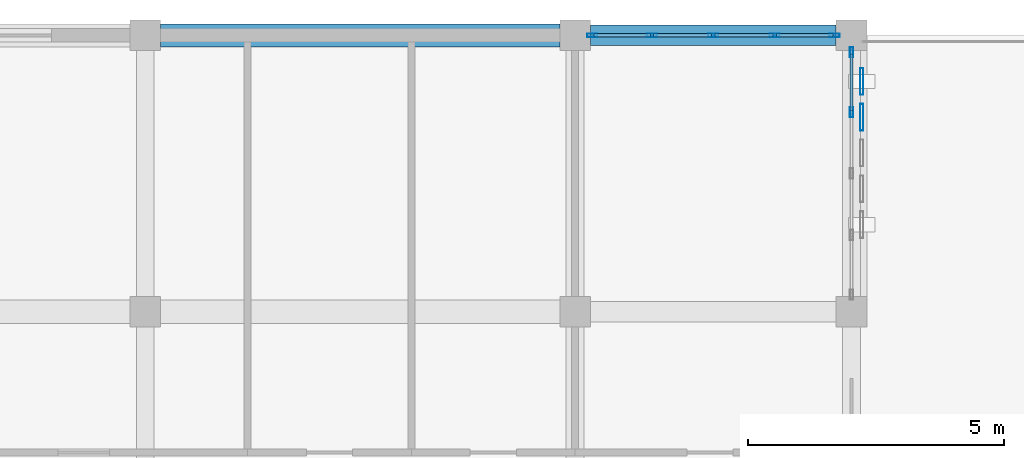
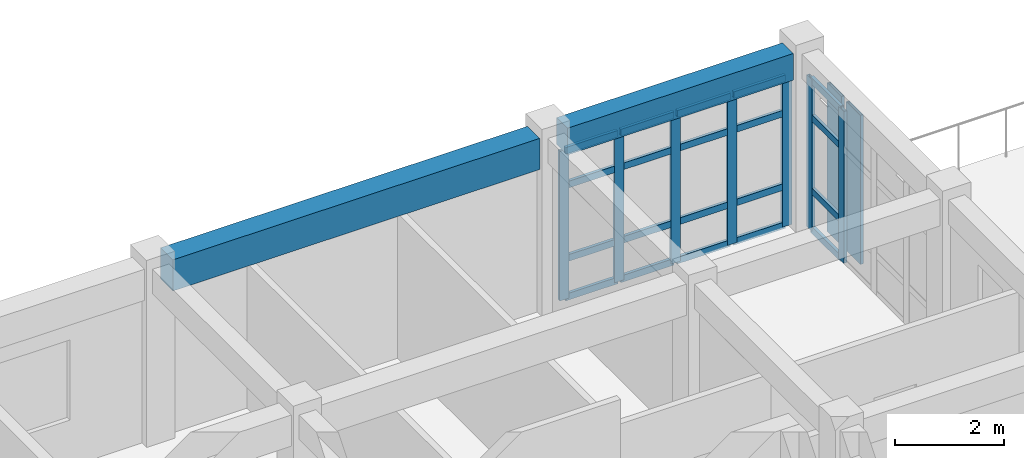
# One storey, part 14 of 21: 29 members, 2 beams, 2 elements without a shape of their own.
"""IFC4 building model written with IfcOpenShell, lengths in metres."""

import ifcopenshell
import ifcopenshell.guid

model = None  # the IFC model being written
_history = None  # IfcOwnerHistory: only IFC2X3 demands one
_inside = {}  # id of a spatial element -> (the spatial element, [elements in it])
_under = {}  # id of a project, library or spatial element -> (it, [spatial elements below it])
_declared = {}  # id of a project -> (the project, [libraries it declares])
_typed = {}  # id of a type object -> (the type object, [elements of that type])
_made_of = {}  # id of a material, layer set ... -> (it, [elements and type objects made of it])


def new_model(schema):
    """Start an empty IFC model of exactly this schema.

    Asked for "IFC4X3", IfcOpenShell would pick the latest addendum, in which some entities
    have other attributes; the version numbers below select the first issue.
    IFC2X3 requires an IfcOwnerHistory on every rooted entity: one is made here for all.
    """
    global model, _history
    if schema == "IFC4X3":
        model = ifcopenshell.file(schema_version=(4, 3, 0, 0))
    else:
        model = ifcopenshell.file(schema=schema)
    _inside.clear()
    _under.clear()
    _declared.clear()
    _typed.clear()
    _made_of.clear()
    _history = None
    if model.schema == "IFC2X3":
        org = make("IfcOrganization", Name="unknown")
        user = make(
            "IfcPersonAndOrganization",
            ThePerson=make("IfcPerson", FamilyName="unknown"),
            TheOrganization=org,
        )
        app = make(
            "IfcApplication",
            ApplicationDeveloper=org,
            Version="unknown",
            ApplicationFullName="unknown",
            ApplicationIdentifier="unknown",
        )
        _history = make(
            "IfcOwnerHistory",
            OwningUser=user,
            OwningApplication=app,
            ChangeAction="ADDED",
            CreationDate=0,
        )
    return model


def make(cls, **values):
    """One entity of the class cls with the attributes given. An attribute that is None is left unset."""
    return model.create_entity(
        cls, **{name: value for name, value in values.items() if value is not None}
    )


def rooted(cls, **values):
    """An entity with a GlobalId (a new one), such as an element, a storey or a relation."""
    return make(cls, GlobalId=ifcopenshell.guid.new(), OwnerHistory=_history, **values)


def si_unit(unit_type, name, prefix=None):
    """IfcSIUnit, for example si_unit("LENGTHUNIT", "METRE", prefix="MILLI")."""
    return make("IfcSIUnit", UnitType=unit_type, Prefix=prefix, Name=name)


def assignment(units):
    """IfcUnitAssignment: the units of a project."""
    return None if units is None else make("IfcUnitAssignment", Units=units)


def point(xyz):
    """IfcCartesianPoint."""
    return None if xyz is None else make("IfcCartesianPoint", Coordinates=xyz)


def direction(xyz):
    """IfcDirection."""
    return None if xyz is None else make("IfcDirection", DirectionRatios=xyz)


def frame(location, z_axis=None, x_axis=None):
    """IfcAxis2Placement3D, a coordinate frame: its origin and axes. An axis left out is left unset."""
    return make(
        "IfcAxis2Placement3D",
        Location=point(location),
        Axis=direction(z_axis),
        RefDirection=direction(x_axis),
    )


def frame_2d(location, x_axis=None):
    """IfcAxis2Placement2D, a coordinate frame in the plane: its origin and x axis."""
    return make(
        "IfcAxis2Placement2D", Location=point(location), RefDirection=direction(x_axis)
    )


def origin():
    """The frame at (0, 0, 0) with its axes left unset."""
    return frame((0.0, 0.0, 0.0))


def origin_2d():
    """The frame at (0, 0) in the plane with its x axis left unset."""
    return frame_2d((0.0, 0.0))


def place(relative_to, where):
    """IfcLocalPlacement: puts the frame where relative to a parent placement (None: the world)."""
    return make(
        "IfcLocalPlacement", PlacementRelTo=relative_to, RelativePlacement=where
    )


def context(
    kind, dimensions, precision=None, world=None, true_north=None, identifier=None
):
    """IfcGeometricRepresentationContext, for example the 3D "Model" context."""
    return make(
        "IfcGeometricRepresentationContext",
        ContextIdentifier=identifier,
        ContextType=kind,
        CoordinateSpaceDimension=dimensions,
        Precision=precision,
        WorldCoordinateSystem=world,
        TrueNorth=true_north,
    )


def subcontext(parent, identifier, kind, view, scale=None):
    """IfcGeometricRepresentationSubContext, for example "Body" below "Model"."""
    return make(
        "IfcGeometricRepresentationSubContext",
        ContextIdentifier=identifier,
        ContextType=kind,
        ParentContext=parent,
        TargetScale=scale,
        TargetView=view,
    )


def project(units=None, contexts=None):
    """IfcProject with its units and contexts."""
    return rooted(
        "IfcProject",
        Name="project",
        RepresentationContexts=contexts,
        UnitsInContext=assignment(units),
    )


def spatial(cls, under=None, at=None, **own):
    """A site, building, storey or space (cls), placed at a placement, below another one or the project."""
    s = rooted(cls, ObjectPlacement=at, **own)
    if under is not None:
        _under.setdefault(under.id(), (under, []))[1].append(s)
    return s


def profile(cls, at=None, kind="AREA", **sizes):
    """A parametric profile (cls). Its sizes go by their IFC names, for example OverallWidth=200.0."""
    return make(cls, ProfileType=kind, Position=at, **sizes)


def rectangle(**sizes):
    """IfcRectangleProfileDef."""
    return profile("IfcRectangleProfileDef", **sizes)


def hollow_rectangle(**sizes):
    """IfcRectangleHollowProfileDef."""
    return profile("IfcRectangleHollowProfileDef", **sizes)


def extrude(swept, where, along, depth):
    """IfcExtrudedAreaSolid: the profile swept, set in the frame where, extruded along a direction by depth."""
    return make(
        "IfcExtrudedAreaSolid",
        SweptArea=swept,
        Position=where,
        ExtrudedDirection=direction(along),
        Depth=depth,
    )


def shape(context_of_items, identifier, shape_type, items):
    """IfcShapeRepresentation: the items that make up one representation, for example the "Body"."""
    return make(
        "IfcShapeRepresentation",
        ContextOfItems=context_of_items,
        RepresentationIdentifier=identifier,
        RepresentationType=shape_type,
        Items=items,
    )


def material(Name=None, Category=None):
    """IfcMaterial."""
    return make("IfcMaterial", Name=Name, Category=Category)


def layer(
    of_material, thickness, ventilated=None, Name=None, Category=None, Priority=None
):
    """IfcMaterialLayer: one layer of a wall or slab, of a material (None: an air gap)."""
    return make(
        "IfcMaterialLayer",
        Material=of_material,
        LayerThickness=thickness,
        IsVentilated=ventilated,
        Name=Name,
        Category=Category,
        Priority=Priority,
    )


def layer_set(layers, Name=None):
    """IfcMaterialLayerSet."""
    return make("IfcMaterialLayerSet", MaterialLayers=layers, LayerSetName=Name)


def material_profile(
    of_material, cross_section, Name=None, Category=None, Priority=None
):
    """IfcMaterialProfile: a cross section and its material."""
    return make(
        "IfcMaterialProfile",
        Name=Name,
        Material=of_material,
        Profile=cross_section,
        Priority=Priority,
        Category=Category,
    )


def profile_set(profiles, Name=None, composite=None):
    """IfcMaterialProfileSet."""
    return make(
        "IfcMaterialProfileSet",
        Name=Name,
        MaterialProfiles=profiles,
        CompositeProfile=composite,
    )


def made_of(thing, what):
    """Note that an element or type object is made of a material, layer set ...; save() writes the relation."""
    if what is not None:
        _made_of.setdefault(what.id(), (what, []))[1].append(thing)
    return thing


def type_object(cls, material=None, **own):
    """A type object (cls), such as IfcWallType, which elements share."""
    return made_of(rooted(cls, **own), material)


def element(
    cls,
    number,
    at=None,
    inside=None,
    cuts=None,
    type_object=None,
    material=None,
    context=None,
    identifier="Body",
    shape_type=None,
    held_by="IfcProductDefinitionShape",
    body=None,
    shapes=None,
    **own,
):
    """One element of the class cls, such as IfcWall. Its Tag is "e" and its number.

    at: its placement. inside: the storey or other place that contains it. cuts: it is an
    opening in that element (IfcRelVoidsElement). A single representation is given by context,
    identifier, shape_type and body (its items); several are given by shapes. held_by: the class
    of the entity that holds the representations. save() writes the other relations.
    """
    e = rooted(cls, Tag="e%d" % number, ObjectPlacement=at, **own)
    if body is not None:
        shapes = [shape(context, identifier, shape_type, body)]
    if shapes is not None:
        e.Representation = make(held_by, Representations=shapes)
    if inside is not None:
        _inside.setdefault(inside.id(), (inside, []))[1].append(e)
    if cuts is not None:
        rooted(
            "IfcRelVoidsElement", RelatingBuildingElement=cuts, RelatedOpeningElement=e
        )
    if type_object is not None:
        _typed.setdefault(type_object.id(), (type_object, []))[1].append(e)
    return made_of(e, material)


def aggregate(whole, parts):
    """IfcRelAggregates: a whole, such as a stair, and the parts it consists of."""
    return rooted("IfcRelAggregates", RelatingObject=whole, RelatedObjects=parts)


def save(model, path):
    """Write the relations noted so far, then the file.

    IfcRelAggregates (storeys below a building ...), IfcRelContainedInSpatialStructure (elements
    in a storey), IfcRelDefinesByType, IfcRelAssociatesMaterial and IfcRelDeclares: one each for
    every whole, place, type object, material and project.
    """
    for whole, parts in _under.values():
        aggregate(whole, parts)
    for where, things in _inside.values():
        rooted(
            "IfcRelContainedInSpatialStructure",
            RelatedElements=things,
            RelatingStructure=where,
        )
    for kind, things in _typed.values():
        rooted("IfcRelDefinesByType", RelatedObjects=things, RelatingType=kind)
    for what, things in _made_of.values():
        rooted("IfcRelAssociatesMaterial", RelatedObjects=things, RelatingMaterial=what)
    for by, libraries in _declared.values():
        rooted("IfcRelDeclares", RelatingContext=by, RelatedDefinitions=libraries)
    model.write(path)


model = new_model("IFC4")

# Units and contexts
model_context = context("Model", 3, precision=1e-05, world=origin(), true_north=direction((0.0, 1.0)))
body_context = subcontext(model_context, "Body", "Model", "MODEL_VIEW")
ifc_project = project(units=[si_unit("LENGTHUNIT", "METRE"), si_unit("AREAUNIT", "SQUARE_METRE"), si_unit("VOLUMEUNIT", "CUBIC_METRE"), si_unit("PLANEANGLEUNIT", "RADIAN"), si_unit("MASSUNIT", "GRAM", prefix="KILO")], contexts=[model_context])

# Site, building, storey
site_placement = place(None, origin())
site = spatial("IfcSite", under=ifc_project, at=site_placement, CompositionType="ELEMENT")
building_placement = place(site_placement, origin())
building = spatial("IfcBuilding", under=site, at=building_placement, Name="Krzemoval Escarpment Law Courts", CompositionType="ELEMENT")
storey_placement = place(building_placement, frame((0.0, 0.0, 37.800048828125)))
storey = spatial("IfcBuildingStorey", under=building, at=storey_placement, Name="L08", CompositionType="ELEMENT", Elevation=37.800048828125)

# Beams
ifc_material_1 = material(Name="Concrete C40/50", Category="concrete")
ifc_material_profile_1 = material_profile(ifc_material_1, rectangle(XDim=0.39990234375, YDim=0.60009765625, at=origin_2d()), Name="RCB 400x600")
ifc_profile_set_1 = profile_set([ifc_material_profile_1], Name="Concrete C40/50")
beam_type_1 = type_object("IfcBeamType", Name="BM-RC-400x600", PredefinedType="BEAM", material=ifc_profile_set_1)
beam_1_placement = place(storey_placement, frame((151.5, 118.800048828125, 3.659912109375), z_axis=(1.0, 0.0, 0.0), x_axis=(0.0, 1.0, 0.0)))
element("IfcBeam", 1, at=beam_1_placement, inside=storey, type_object=beam_type_1, Name="Beam FG-L08-2758", PredefinedType="BEAM", context=body_context, shape_type="SweptSolid", body=[
    extrude(rectangle(XDim=0.39990234375, YDim=0.60009765625, at=origin_2d()), origin(), (0.0, 0.0, 1.0), 4.800048828125),
])
ifc_material_2 = material(Name="Concrete C40/50", Category="concrete")
ifc_material_profile_2 = material_profile(ifc_material_2, rectangle(XDim=0.449951171875, YDim=0.699951171875, at=origin_2d()), Name="RCB 450x700")
ifc_profile_set_2 = profile_set([ifc_material_profile_2], Name="Concrete C40/50")
beam_type_2 = type_object("IfcBeamType", Name="BM-RC-450x700", PredefinedType="BEAM", material=ifc_profile_set_2)
beam_2_placement = place(storey_placement, frame((143.10009765625, 118.800048828125, 3.60986328125), z_axis=(1.0, 0.0, 0.0), x_axis=(0.0, 1.0, 0.0)))
element("IfcBeam", 2, at=beam_2_placement, inside=storey, type_object=beam_type_2, Name="Beam FG-L08-2757", PredefinedType="BEAM", context=body_context, shape_type="SweptSolid", body=[
    extrude(rectangle(XDim=0.449951171875, YDim=0.699951171875, at=origin_2d()), origin(), (0.0, 0.0, 1.0), 7.7998046875),
])

# Curtain wall, members
ifc_material_3 = material(Name="Aluminium 6063-T6", Category="aluminium")
ifc_layer = layer(ifc_material_3, 0.219970703125)
ifc_layer_set = layer_set([ifc_layer], Name="Aluminium 6063-T6")
curtain_wall_type = type_object("IfcCurtainWallType", Name="CW-CHMB-4200", PredefinedType="USERDEFINED", material=ifc_layer_set)
curtain_wall_1_placement = place(storey_placement, origin())
curtain_wall_1 = element("IfcCurtainWall", 3, at=curtain_wall_1_placement, inside=storey, type_object=curtain_wall_type, Name="Unitised Curtain Wall FCW-L08-166", ObjectType="UNITISED_CURTAIN_WALL", PredefinedType="USERDEFINED")
ifc_material_4 = material(Name="Aluminium 6063-T6", Category="aluminium")
ifc_material_profile_3 = material_profile(ifc_material_4, hollow_rectangle(XDim=0.06494140625, YDim=0.199951171875, WallThickness=0.00439453125, at=origin_2d()), Name="ALU M65x200")
ifc_profile_set_3 = profile_set([ifc_material_profile_3], Name="Aluminium 6063-T6")
member_type_1 = type_object("IfcMemberType", Name="CWM-65x200", PredefinedType="MULLION", material=ifc_profile_set_3)
member_1_placement = place(storey_placement, frame((151.532470703125, 118.800048828125, 0.0), z_axis=(0.0, 0.0, 1.0), x_axis=(0.0, 1.0, 0.0)))
member_1 = element("IfcMember", 4, at=member_1_placement, type_object=member_type_1, Name="FCW-L08-166 mullion 1", PredefinedType="MULLION", context=body_context, shape_type="SweptSolid", body=[
    extrude(hollow_rectangle(XDim=0.06494140625, YDim=0.199951171875, WallThickness=0.00439453125, at=origin_2d()), origin(), (0.0, 0.0, 1.0), 3.35986328125),
])
member_2_placement = place(storey_placement, frame((152.699951171875, 118.800048828125, 0.0), z_axis=(0.0, 0.0, 1.0), x_axis=(0.0, 1.0, 0.0)))
member_2 = element("IfcMember", 5, at=member_2_placement, type_object=member_type_1, Name="FCW-L08-166 mullion 2", PredefinedType="MULLION", context=body_context, shape_type="SweptSolid", body=[
    extrude(hollow_rectangle(XDim=0.06494140625, YDim=0.199951171875, WallThickness=0.00439453125, at=origin_2d()), origin(), (0.0, 0.0, 1.0), 3.35986328125),
])
member_3_placement = place(storey_placement, frame((153.89990234375, 118.800048828125, 0.0), z_axis=(0.0, 0.0, 1.0), x_axis=(0.0, 1.0, 0.0)))
member_3 = element("IfcMember", 6, at=member_3_placement, type_object=member_type_1, Name="FCW-L08-166 mullion 3", PredefinedType="MULLION", context=body_context, shape_type="SweptSolid", body=[
    extrude(hollow_rectangle(XDim=0.06494140625, YDim=0.199951171875, WallThickness=0.00439453125, at=origin_2d()), origin(), (0.0, 0.0, 1.0), 3.35986328125),
])
member_4_placement = place(storey_placement, frame((155.10009765625, 118.800048828125, 0.0), z_axis=(0.0, 0.0, 1.0), x_axis=(0.0, 1.0, 0.0)))
member_4 = element("IfcMember", 7, at=member_4_placement, type_object=member_type_1, Name="FCW-L08-166 mullion 4", PredefinedType="MULLION", context=body_context, shape_type="SweptSolid", body=[
    extrude(hollow_rectangle(XDim=0.06494140625, YDim=0.199951171875, WallThickness=0.00439453125, at=origin_2d()), origin(), (0.0, 0.0, 1.0), 3.35986328125),
])
member_5_placement = place(storey_placement, frame((156.267578125, 118.800048828125, 0.0), z_axis=(0.0, 0.0, 1.0), x_axis=(0.0, 1.0, 0.0)))
member_5 = element("IfcMember", 8, at=member_5_placement, type_object=member_type_1, Name="FCW-L08-166 mullion 5", PredefinedType="MULLION", context=body_context, shape_type="SweptSolid", body=[
    extrude(hollow_rectangle(XDim=0.06494140625, YDim=0.199951171875, WallThickness=0.00439453125, at=origin_2d()), origin(), (0.0, 0.0, 1.0), 3.35986328125),
])

curtain_wall_2_placement = place(storey_placement, origin())
curtain_wall_2 = element("IfcCurtainWall", 9, at=curtain_wall_2_placement, inside=storey, type_object=curtain_wall_type, Name="Unitised Curtain Wall FCW-L08-167", ObjectType="UNITISED_CURTAIN_WALL", PredefinedType="USERDEFINED")
member_6_placement = place(storey_placement, frame((156.60009765625, 118.467529296875, 0.0), z_axis=(0.0, 0.0, 1.0), x_axis=(1.0, 0.0, 0.0)))
member_6 = element("IfcMember", 10, at=member_6_placement, type_object=member_type_1, Name="FCW-L08-167 mullion 1", PredefinedType="MULLION", context=body_context, shape_type="SweptSolid", body=[
    extrude(hollow_rectangle(XDim=0.06494140625, YDim=0.199951171875, WallThickness=0.00439453125, at=origin_2d()), origin(), (0.0, 0.0, 1.0), 3.409912109375),
])
member_7_placement = place(storey_placement, frame((156.60009765625, 117.300048828125, 0.0), z_axis=(0.0, 0.0, 1.0), x_axis=(1.0, 0.0, 0.0)))
member_7 = element("IfcMember", 11, at=member_7_placement, type_object=member_type_1, Name="FCW-L08-167 mullion 2", PredefinedType="MULLION", context=body_context, shape_type="SweptSolid", body=[
    extrude(hollow_rectangle(XDim=0.06494140625, YDim=0.199951171875, WallThickness=0.00439453125, at=origin_2d()), origin(), (0.0, 0.0, 1.0), 3.409912109375),
])

# Member
ifc_material_5 = material(Name="Aluminium 6063-T6", Category="aluminium")
ifc_material_profile_4 = material_profile(ifc_material_5, hollow_rectangle(XDim=0.06494140625, YDim=0.14990234375, WallThickness=0.00439453125, at=origin_2d()), Name="ALU T65x150")
ifc_profile_set_4 = profile_set([ifc_material_profile_4], Name="Aluminium 6063-T6")
member_type_2 = type_object("IfcMemberType", Name="CWT-65x150", PredefinedType="USERDEFINED", material=ifc_profile_set_4)
member_8_placement = place(storey_placement, frame((151.56494140625, 118.800048828125, 0.032470703125), z_axis=(1.0, 0.0, 0.0), x_axis=(0.0, 1.0, 0.0)))
member_8 = element("IfcMember", 12, at=member_8_placement, type_object=member_type_2, Name="FCW-L08-166 transom 1.1", ObjectType="TRANSOM", PredefinedType="USERDEFINED", context=body_context, shape_type="SweptSolid", body=[
    extrude(hollow_rectangle(XDim=0.06494140625, YDim=0.14990234375, WallThickness=0.00439453125, at=origin_2d()), origin(), (0.0, 0.0, 1.0), 1.1025390625),
])

member_9_placement = place(storey_placement, frame((151.56494140625, 118.800048828125, 0.89990234375), z_axis=(1.0, 0.0, 0.0), x_axis=(0.0, 1.0, 0.0)))
member_9 = element("IfcMember", 13, at=member_9_placement, type_object=member_type_2, Name="FCW-L08-166 transom 1.2", ObjectType="TRANSOM", PredefinedType="USERDEFINED", context=body_context, shape_type="SweptSolid", body=[
    extrude(hollow_rectangle(XDim=0.06494140625, YDim=0.14990234375, WallThickness=0.00439453125, at=origin_2d()), origin(), (0.0, 0.0, 1.0), 1.1025390625),
])

member_10_placement = place(storey_placement, frame((151.56494140625, 118.800048828125, 2.550048828125), z_axis=(1.0, 0.0, 0.0), x_axis=(0.0, 1.0, 0.0)))
member_10 = element("IfcMember", 14, at=member_10_placement, type_object=member_type_2, Name="FCW-L08-166 transom 1.3", ObjectType="TRANSOM", PredefinedType="USERDEFINED", context=body_context, shape_type="SweptSolid", body=[
    extrude(hollow_rectangle(XDim=0.06494140625, YDim=0.14990234375, WallThickness=0.00439453125, at=origin_2d()), origin(), (0.0, 0.0, 1.0), 1.1025390625),
])

member_11_placement = place(storey_placement, frame((151.56494140625, 118.800048828125, 3.327392578125), z_axis=(1.0, 0.0, 0.0), x_axis=(0.0, 1.0, 0.0)))
member_11 = element("IfcMember", 15, at=member_11_placement, type_object=member_type_2, Name="FCW-L08-166 transom 1.4", ObjectType="TRANSOM", PredefinedType="USERDEFINED", context=body_context, shape_type="SweptSolid", body=[
    extrude(hollow_rectangle(XDim=0.06494140625, YDim=0.14990234375, WallThickness=0.00439453125, at=origin_2d()), origin(), (0.0, 0.0, 1.0), 1.1025390625),
])

member_12_placement = place(storey_placement, frame((152.732421875, 118.800048828125, 0.032470703125), z_axis=(1.0, 0.0, 0.0), x_axis=(0.0, 1.0, 0.0)))
member_12 = element("IfcMember", 16, at=member_12_placement, type_object=member_type_2, Name="FCW-L08-166 transom 2.1", ObjectType="TRANSOM", PredefinedType="USERDEFINED", context=body_context, shape_type="SweptSolid", body=[
    extrude(hollow_rectangle(XDim=0.06494140625, YDim=0.14990234375, WallThickness=0.00439453125, at=origin_2d()), origin(), (0.0, 0.0, 1.0), 1.135009765625),
])

member_13_placement = place(storey_placement, frame((152.732421875, 118.800048828125, 0.89990234375), z_axis=(1.0, 0.0, 0.0), x_axis=(0.0, 1.0, 0.0)))
member_13 = element("IfcMember", 17, at=member_13_placement, type_object=member_type_2, Name="FCW-L08-166 transom 2.2", ObjectType="TRANSOM", PredefinedType="USERDEFINED", context=body_context, shape_type="SweptSolid", body=[
    extrude(hollow_rectangle(XDim=0.06494140625, YDim=0.14990234375, WallThickness=0.00439453125, at=origin_2d()), origin(), (0.0, 0.0, 1.0), 1.135009765625),
])

member_14_placement = place(storey_placement, frame((152.732421875, 118.800048828125, 2.550048828125), z_axis=(1.0, 0.0, 0.0), x_axis=(0.0, 1.0, 0.0)))
member_14 = element("IfcMember", 18, at=member_14_placement, type_object=member_type_2, Name="FCW-L08-166 transom 2.3", ObjectType="TRANSOM", PredefinedType="USERDEFINED", context=body_context, shape_type="SweptSolid", body=[
    extrude(hollow_rectangle(XDim=0.06494140625, YDim=0.14990234375, WallThickness=0.00439453125, at=origin_2d()), origin(), (0.0, 0.0, 1.0), 1.135009765625),
])

member_15_placement = place(storey_placement, frame((152.732421875, 118.800048828125, 3.327392578125), z_axis=(1.0, 0.0, 0.0), x_axis=(0.0, 1.0, 0.0)))
member_15 = element("IfcMember", 19, at=member_15_placement, type_object=member_type_2, Name="FCW-L08-166 transom 2.4", ObjectType="TRANSOM", PredefinedType="USERDEFINED", context=body_context, shape_type="SweptSolid", body=[
    extrude(hollow_rectangle(XDim=0.06494140625, YDim=0.14990234375, WallThickness=0.00439453125, at=origin_2d()), origin(), (0.0, 0.0, 1.0), 1.135009765625),
])

member_16_placement = place(storey_placement, frame((153.9326171875, 118.800048828125, 0.032470703125), z_axis=(1.0, 0.0, 0.0), x_axis=(0.0, 1.0, 0.0)))
member_16 = element("IfcMember", 20, at=member_16_placement, type_object=member_type_2, Name="FCW-L08-166 transom 3.1", ObjectType="TRANSOM", PredefinedType="USERDEFINED", context=body_context, shape_type="SweptSolid", body=[
    extrude(hollow_rectangle(XDim=0.06494140625, YDim=0.14990234375, WallThickness=0.00439453125, at=origin_2d()), origin(), (0.0, 0.0, 1.0), 1.134765625),
])

member_17_placement = place(storey_placement, frame((153.9326171875, 118.800048828125, 0.89990234375), z_axis=(1.0, 0.0, 0.0), x_axis=(0.0, 1.0, 0.0)))
member_17 = element("IfcMember", 21, at=member_17_placement, type_object=member_type_2, Name="FCW-L08-166 transom 3.2", ObjectType="TRANSOM", PredefinedType="USERDEFINED", context=body_context, shape_type="SweptSolid", body=[
    extrude(hollow_rectangle(XDim=0.06494140625, YDim=0.14990234375, WallThickness=0.00439453125, at=origin_2d()), origin(), (0.0, 0.0, 1.0), 1.134765625),
])

member_18_placement = place(storey_placement, frame((153.9326171875, 118.800048828125, 2.550048828125), z_axis=(1.0, 0.0, 0.0), x_axis=(0.0, 1.0, 0.0)))
member_18 = element("IfcMember", 22, at=member_18_placement, type_object=member_type_2, Name="FCW-L08-166 transom 3.3", ObjectType="TRANSOM", PredefinedType="USERDEFINED", context=body_context, shape_type="SweptSolid", body=[
    extrude(hollow_rectangle(XDim=0.06494140625, YDim=0.14990234375, WallThickness=0.00439453125, at=origin_2d()), origin(), (0.0, 0.0, 1.0), 1.134765625),
])

member_19_placement = place(storey_placement, frame((153.9326171875, 118.800048828125, 3.327392578125), z_axis=(1.0, 0.0, 0.0), x_axis=(0.0, 1.0, 0.0)))
member_19 = element("IfcMember", 23, at=member_19_placement, type_object=member_type_2, Name="FCW-L08-166 transom 3.4", ObjectType="TRANSOM", PredefinedType="USERDEFINED", context=body_context, shape_type="SweptSolid", body=[
    extrude(hollow_rectangle(XDim=0.06494140625, YDim=0.14990234375, WallThickness=0.00439453125, at=origin_2d()), origin(), (0.0, 0.0, 1.0), 1.134765625),
])

member_20_placement = place(storey_placement, frame((155.132568359375, 118.800048828125, 0.032470703125), z_axis=(1.0, 0.0, 0.0), x_axis=(0.0, 1.0, 0.0)))
member_20 = element("IfcMember", 24, at=member_20_placement, type_object=member_type_2, Name="FCW-L08-166 transom 4.1", ObjectType="TRANSOM", PredefinedType="USERDEFINED", context=body_context, shape_type="SweptSolid", body=[
    extrude(hollow_rectangle(XDim=0.06494140625, YDim=0.14990234375, WallThickness=0.00439453125, at=origin_2d()), origin(), (0.0, 0.0, 1.0), 1.1025390625),
])

member_21_placement = place(storey_placement, frame((155.132568359375, 118.800048828125, 0.89990234375), z_axis=(1.0, 0.0, 0.0), x_axis=(0.0, 1.0, 0.0)))
member_21 = element("IfcMember", 25, at=member_21_placement, type_object=member_type_2, Name="FCW-L08-166 transom 4.2", ObjectType="TRANSOM", PredefinedType="USERDEFINED", context=body_context, shape_type="SweptSolid", body=[
    extrude(hollow_rectangle(XDim=0.06494140625, YDim=0.14990234375, WallThickness=0.00439453125, at=origin_2d()), origin(), (0.0, 0.0, 1.0), 1.1025390625),
])

member_22_placement = place(storey_placement, frame((155.132568359375, 118.800048828125, 2.550048828125), z_axis=(1.0, 0.0, 0.0), x_axis=(0.0, 1.0, 0.0)))
member_22 = element("IfcMember", 26, at=member_22_placement, type_object=member_type_2, Name="FCW-L08-166 transom 4.3", ObjectType="TRANSOM", PredefinedType="USERDEFINED", context=body_context, shape_type="SweptSolid", body=[
    extrude(hollow_rectangle(XDim=0.06494140625, YDim=0.14990234375, WallThickness=0.00439453125, at=origin_2d()), origin(), (0.0, 0.0, 1.0), 1.1025390625),
])

member_23_placement = place(storey_placement, frame((155.132568359375, 118.800048828125, 3.327392578125), z_axis=(1.0, 0.0, 0.0), x_axis=(0.0, 1.0, 0.0)))
member_23 = element("IfcMember", 27, at=member_23_placement, type_object=member_type_2, Name="FCW-L08-166 transom 4.4", ObjectType="TRANSOM", PredefinedType="USERDEFINED", context=body_context, shape_type="SweptSolid", body=[
    extrude(hollow_rectangle(XDim=0.06494140625, YDim=0.14990234375, WallThickness=0.00439453125, at=origin_2d()), origin(), (0.0, 0.0, 1.0), 1.1025390625),
])

aggregate(curtain_wall_1, [member_1, member_2, member_3, member_4, member_5, member_8, member_9, member_10, member_11, member_12, member_13, member_14, member_15, member_16, member_17, member_18, member_19, member_20, member_21, member_22, member_23])

member_24_placement = place(storey_placement, frame((156.60009765625, 118.43505859375, 0.032470703125), z_axis=(0.0, -1.0, 0.0), x_axis=(1.0, 0.0, 0.0)))
member_24 = element("IfcMember", 28, at=member_24_placement, type_object=member_type_2, Name="FCW-L08-167 transom 1.1", ObjectType="TRANSOM", PredefinedType="USERDEFINED", context=body_context, shape_type="SweptSolid", body=[
    extrude(hollow_rectangle(XDim=0.06494140625, YDim=0.14990234375, WallThickness=0.00439453125, at=origin_2d()), origin(), (0.0, 0.0, 1.0), 1.1025390625),
])

member_25_placement = place(storey_placement, frame((156.60009765625, 118.43505859375, 0.89990234375), z_axis=(0.0, -1.0, 0.0), x_axis=(1.0, 0.0, 0.0)))
member_25 = element("IfcMember", 29, at=member_25_placement, type_object=member_type_2, Name="FCW-L08-167 transom 1.2", ObjectType="TRANSOM", PredefinedType="USERDEFINED", context=body_context, shape_type="SweptSolid", body=[
    extrude(hollow_rectangle(XDim=0.06494140625, YDim=0.14990234375, WallThickness=0.00439453125, at=origin_2d()), origin(), (0.0, 0.0, 1.0), 1.1025390625),
])

member_26_placement = place(storey_placement, frame((156.60009765625, 118.43505859375, 2.550048828125), z_axis=(0.0, -1.0, 0.0), x_axis=(1.0, 0.0, 0.0)))
member_26 = element("IfcMember", 30, at=member_26_placement, type_object=member_type_2, Name="FCW-L08-167 transom 1.3", ObjectType="TRANSOM", PredefinedType="USERDEFINED", context=body_context, shape_type="SweptSolid", body=[
    extrude(hollow_rectangle(XDim=0.06494140625, YDim=0.14990234375, WallThickness=0.00439453125, at=origin_2d()), origin(), (0.0, 0.0, 1.0), 1.1025390625),
])

member_27_placement = place(storey_placement, frame((156.60009765625, 118.43505859375, 3.37744140625), z_axis=(0.0, -1.0, 0.0), x_axis=(1.0, 0.0, 0.0)))
member_27 = element("IfcMember", 31, at=member_27_placement, type_object=member_type_2, Name="FCW-L08-167 transom 1.4", ObjectType="TRANSOM", PredefinedType="USERDEFINED", context=body_context, shape_type="SweptSolid", body=[
    extrude(hollow_rectangle(XDim=0.06494140625, YDim=0.14990234375, WallThickness=0.00439453125, at=origin_2d()), origin(), (0.0, 0.0, 1.0), 1.1025390625),
])

aggregate(curtain_wall_2, [member_6, member_7, member_24, member_25, member_26, member_27])

# Members
ifc_material_6 = material(Name="Anodised Aluminium Alloy 6063-T6", Category="aluminium")
ifc_material_profile_5 = material_profile(ifc_material_6, hollow_rectangle(XDim=0.06494140625, YDim=0.52001953125, WallThickness=0.00439453125, at=origin_2d()), Name="ALU LVR 65x520")
ifc_profile_set_5 = profile_set([ifc_material_profile_5], Name="Anodised Aluminium Alloy 6063-T6")
member_type_3 = type_object("IfcMemberType", Name="LVR-ALU-520", PredefinedType="USERDEFINED", material=ifc_profile_set_5)
for number, where, z_axis, x_axis, name in (
    (32, (156.800048828125, 117.89990234375, 0.06005859375), (0.0, 0.0, 1.0), (1.0, 0.0, 0.0), "Sunshade Louvre Fin FLV-L08-1098"),
    (33, (156.800048828125, 117.199951171875, 0.06005859375), (0.0, 0.0, 1.0), (1.0, 0.0, 0.0), "Sunshade Louvre Fin FLV-L08-1099"),
):
    element("IfcMember", number, at=place(storey_placement, frame(where, z_axis=z_axis, x_axis=x_axis)), inside=storey, type_object=member_type_3, Name=name, ObjectType="SUNSHADE_LOUVRE", PredefinedType="USERDEFINED", context=body_context, shape_type="SweptSolid", body=[
        extrude(hollow_rectangle(XDim=0.06494140625, YDim=0.52001953125, WallThickness=0.00439453125, at=origin_2d()), origin(), (0.0, 0.0, 1.0), 3.349853515625),
    ])

save(model, "model.ifc")
